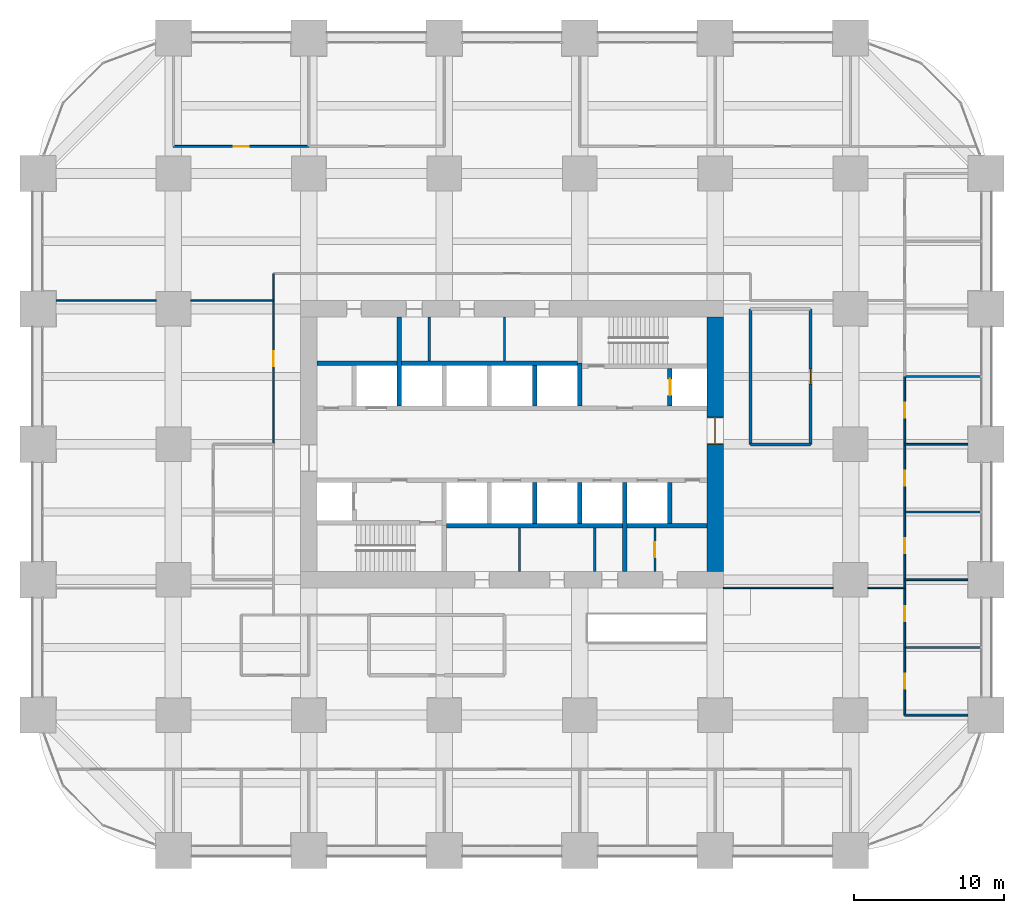
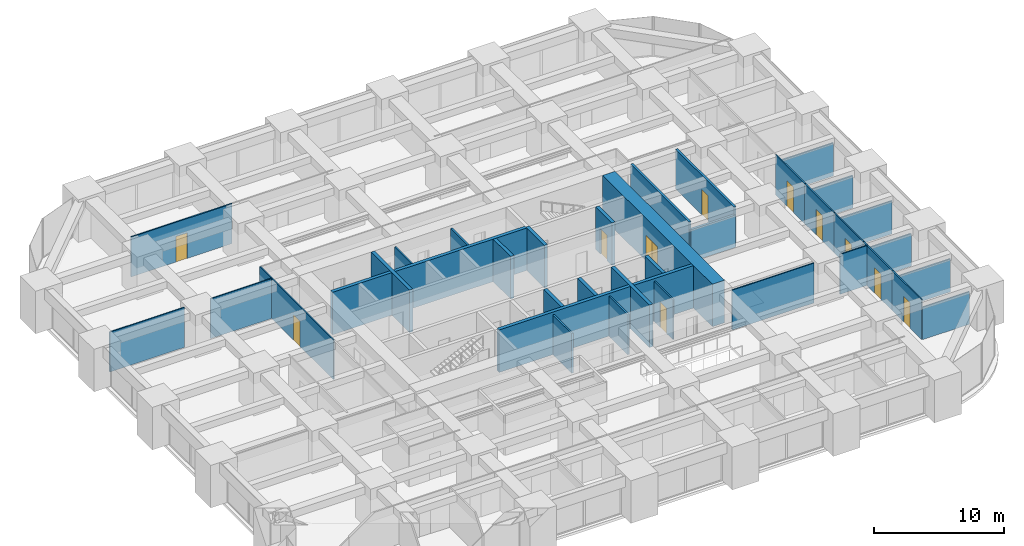
# One storey, part 41 of 45: 36 walls, 11 doors, 11 openings.
"""IFC4 building model written with IfcOpenShell, lengths in metres."""

from ifc_helpers import new_model, si_unit, direction, frame, frame_2d, origin, place, context, subcontext, project, spatial, rectangle, extrude, material, layer, layer_set, type_object, element, fill, save


model = new_model("IFC4")

# Units and contexts
model_context = context("Model", 3, precision=1e-05, world=origin(), true_north=direction((0.0, 1.0)))
body_context = subcontext(model_context, "Body", "Model", "MODEL_VIEW")
ifc_project = project(units=[si_unit("LENGTHUNIT", "METRE"), si_unit("AREAUNIT", "SQUARE_METRE"), si_unit("VOLUMEUNIT", "CUBIC_METRE"), si_unit("PLANEANGLEUNIT", "RADIAN"), si_unit("MASSUNIT", "GRAM", prefix="KILO")], contexts=[model_context])

# Site, building, storey
site_placement = place(None, origin())
site = spatial("IfcSite", under=ifc_project, at=site_placement, CompositionType="ELEMENT")
building_placement = place(site_placement, origin())
building = spatial("IfcBuilding", under=site, at=building_placement, Name="Zorevar Civic Tower", CompositionType="ELEMENT")
storey_placement = place(building_placement, frame((0.0, 0.0, 27.800048828125)))
storey = spatial("IfcBuildingStorey", under=building, at=storey_placement, Name="L06", CompositionType="ELEMENT", Elevation=27.800048828125)

# Walls
ifc_material_1 = material(Name="Concrete blockwork", Category="masonry")
ifc_layer_1 = layer(ifc_material_1, 0.199951171875)
ifc_layer_set_1 = layer_set([ifc_layer_1], Name="Blockwork wall 200")
wall_type_1 = type_object("IfcWallType", Name="Blockwork wall 200", PredefinedType="SOLIDWALL", material=ifc_layer_set_1)
wall_1_placement = place(storey_placement, frame((47.35009765625, 27.0, 0.0), z_axis=(0.0, 0.0, 1.0), x_axis=(1.0, 0.0, 0.0)))
element("IfcWall", 1, at=wall_1_placement, inside=storey, type_object=wall_type_1, Name="Blockwork wall 200 L06", PredefinedType="SOLIDWALL", context=body_context, shape_type="SweptSolid", body=[
    extrude(rectangle(XDim=4.0, YDim=0.199951171875, at=frame_2d((2.0, 0.0))), origin(), (0.0, 0.0, 1.0), 3.050048828125),
])
wall_2_placement = place(storey_placement, frame((47.35009765625, 27.0, 0.0), z_axis=(0.0, 0.0, 1.0), x_axis=(0.0, 1.0, 0.0)))
element("IfcWall", 2, at=wall_2_placement, inside=storey, type_object=wall_type_1, Name="Blockwork wall 200 L06", PredefinedType="SOLIDWALL", context=body_context, shape_type="SweptSolid", body=[
    extrude(rectangle(XDim=9.0, YDim=0.199951171875, at=frame_2d((4.5, 0.0))), origin(), (0.0, 0.0, 1.0), 3.75),
])

# Wall, opening, door
wall_3_placement = place(storey_placement, frame((51.35009765625, 27.0, 0.0), z_axis=(0.0, 0.0, 1.0), x_axis=(0.0, 1.0, 0.0)))
wall_3 = element("IfcWall", 3, at=wall_3_placement, inside=storey, type_object=wall_type_1, Name="Blockwork wall 200 L06", PredefinedType="SOLIDWALL", context=body_context, shape_type="SweptSolid", body=[
    extrude(rectangle(XDim=9.0, YDim=0.199951171875, at=frame_2d((4.5, 0.0))), origin(), (0.0, 0.0, 1.0), 3.75),
])
opening_1_placement = place(wall_3_placement, frame((4.0, 0.0, 0.0)))
opening_1 = element("IfcOpeningElement", 4, at=opening_1_placement, cuts=wall_3, Name="Opening L06.38", PredefinedType="OPENING", context=body_context, shape_type="SweptSolid", body=[
    extrude(rectangle(XDim=1.0, YDim=2.39990234375, at=frame_2d((0.5, 1.199951171875))), frame((0.0, 0.10986328125, 0.0), z_axis=(0.0, -1.0, 0.0), x_axis=(1.0, 0.0, 0.0)), (0.0, 0.0, 1.0), 0.219970703125),
])
ifc_material_2 = material(Name="Steel door set", Category="steel")
door_type_1 = type_object("IfcDoorType", Name="Security door SD1 1000x2400", OperationType="SINGLE_SWING_LEFT", PredefinedType="DOOR", material=ifc_material_2)
door_1_placement = place(opening_1_placement, origin())
door_1 = element("IfcDoor", 5, at=door_1_placement, inside=storey, type_object=door_type_1, Name="Door L06 D1", OperationType="SINGLE_SWING_RIGHT", OverallHeight=2.39990234375, OverallWidth=1.0, PredefinedType="DOOR", context=body_context, shape_type="SweptSolid", body=[
    extrude(rectangle(XDim=1.0, YDim=2.39990234375, at=frame_2d((0.5, 1.199951171875))), frame((0.0, 0.03515625, 0.0), z_axis=(0.0, -1.0, 0.0), x_axis=(1.0, 0.0, 0.0)), (0.0, 0.0, 1.0), 0.070068359375),
])
fill(opening_1, door_1)

ifc_material_3 = material(Name="Concrete C50/60", Category="concrete")
ifc_layer_2 = layer(ifc_material_3, 1.10009765625)
ifc_layer_set_2 = layer_set([ifc_layer_2], Name="Core wall 1100")
wall_type_2 = type_object("IfcWallType", Name="Core wall 1100", PredefinedType="SHEAR", material=ifc_layer_set_2)
wall_4_placement = place(storey_placement, frame((45.0, 18.550048828125, 0.0), z_axis=(0.0, 0.0, 1.0), x_axis=(0.0, 1.0, 0.0)))
wall_4 = element("IfcWall", 6, at=wall_4_placement, inside=storey, type_object=wall_type_2, Name="Core wall E L06", PredefinedType="SHEAR", context=body_context, shape_type="SweptSolid", body=[
    extrude(rectangle(XDim=16.89990234375, YDim=1.10009765625, at=frame_2d((8.449951171875, 0.0))), origin(), (0.0, 0.0, 1.0), 4.0),
])
opening_2_placement = place(wall_4_placement, frame((8.449951171875, 0.0, 0.0)))
opening_2 = element("IfcOpeningElement", 7, at=opening_2_placement, cuts=wall_4, Name="Opening L06.02", PredefinedType="OPENING", context=body_context, shape_type="SweptSolid", body=[
    extrude(rectangle(XDim=1.800048828125, YDim=2.39990234375, at=frame_2d((0.89990234375, 1.199951171875))), frame((0.0, 0.56005859375, 0.0), z_axis=(0.0, -1.0, 0.0), x_axis=(1.0, 0.0, 0.0)), (0.0, 0.0, 1.0), 1.1201171875),
])
ifc_material_4 = material(Name="Steel door set", Category="steel")
door_type_2 = type_object("IfcDoorType", Name="Fire door FD2 1800x2400", OperationType="DOUBLE_DOOR_DOUBLE_SWING", PredefinedType="DOOR", material=ifc_material_4)
door_2_placement = place(opening_2_placement, origin())
door_2 = element("IfcDoor", 8, at=door_2_placement, inside=storey, type_object=door_type_2, Name="Door L06 01", OperationType="DOUBLE_DOOR_DOUBLE_SWING", OverallHeight=2.39990234375, OverallWidth=1.800048828125, PredefinedType="DOOR", context=body_context, shape_type="SweptSolid", body=[
    extrude(rectangle(XDim=1.800048828125, YDim=2.39990234375, at=frame_2d((0.89990234375, 1.199951171875))), frame((0.0, 0.030029296875, 0.0), z_axis=(0.0, -1.0, 0.0), x_axis=(1.0, 0.0, 0.0)), (0.0, 0.0, 1.0), 0.06005859375),
    extrude(rectangle(XDim=0.04, YDim=2.39990234375, at=frame_2d((0.02001953125, 1.199951171875))), frame((0.0, 0.5498046875, 0.0), z_axis=(0.0, -1.0, 0.0), x_axis=(1.0, 0.0, 0.0)), (0.0, 0.0, 1.0), 1.099609375),
    extrude(rectangle(XDim=0.04, YDim=2.39990234375, at=frame_2d((1.780029296875, 1.199951171875))), frame((0.0, 0.5498046875, 0.0), z_axis=(0.0, -1.0, 0.0), x_axis=(1.0, 0.0, 0.0)), (0.0, 0.0, 1.0), 1.099609375),
    extrude(rectangle(XDim=1.800048828125, YDim=0.04, at=frame_2d((0.89990234375, 2.3798828125))), frame((0.0, 0.5498046875, 0.0), z_axis=(0.0, -1.0, 0.0), x_axis=(1.0, 0.0, 0.0)), (0.0, 0.0, 1.0), 1.099609375),
])
fill(opening_2, door_2)

# Walls
ifc_material_5 = material(Name="Laminated glass in black aluminium frame", Category="aluminium")
ifc_layer_3 = layer(ifc_material_5, 0.10009765625)
ifc_layer_set_3 = layer_set([ifc_layer_3], Name="Glazed partition 100")
wall_type_3 = type_object("IfcWallType", Name="Glazed partition 100", PredefinedType="PARTITIONING", material=ifc_layer_set_3)
wall_5_placement = place(storey_placement, frame((45.550048828125, 17.449951171875, 0.0), z_axis=(0.0, 0.0, 1.0), x_axis=(1.0, 0.0, 0.0)))
element("IfcWall", 9, at=wall_5_placement, inside=storey, type_object=wall_type_3, Name="Glazed partition 100 L06", PredefinedType="PARTITIONING", context=body_context, shape_type="SweptSolid", body=[
    extrude(rectangle(XDim=7.300048828125, YDim=0.10009765625, at=frame_2d((3.64990234375, 0.0))), origin(), (0.0, 0.0, 1.0), 3.75),
])
wall_6_placement = place(storey_placement, frame((55.14990234375, 17.449951171875, 0.0), z_axis=(0.0, 0.0, 1.0), x_axis=(1.0, 0.0, 0.0)))
element("IfcWall", 10, at=wall_6_placement, inside=storey, type_object=wall_type_3, Name="Glazed partition 100 L06", PredefinedType="PARTITIONING", context=body_context, shape_type="SweptSolid", body=[
    extrude(rectangle(XDim=2.460205078125, YDim=0.10009765625, at=frame_2d((1.22998046875, 0.0))), origin(), (0.0, 0.0, 1.0), 3.75),
])
wall_7_placement = place(storey_placement, frame((1.199951171875, 36.550048828125, 0.0), z_axis=(0.0, 0.0, 1.0), x_axis=(1.0, 0.0, 0.0)))
element("IfcWall", 11, at=wall_7_placement, inside=storey, type_object=wall_type_3, Name="Glazed partition 100 L06", PredefinedType="PARTITIONING", context=body_context, shape_type="SweptSolid", body=[
    extrude(rectangle(XDim=6.650146484375, YDim=0.10009765625, at=frame_2d((3.3251953125, 0.0))), origin(), (0.0, 0.0, 1.0), 3.75),
])
wall_8_placement = place(storey_placement, frame((10.14990234375, 36.550048828125, 0.0), z_axis=(0.0, 0.0, 1.0), x_axis=(1.0, 0.0, 0.0)))
element("IfcWall", 12, at=wall_8_placement, inside=storey, type_object=wall_type_3, Name="Glazed partition 100 L06", PredefinedType="PARTITIONING", context=body_context, shape_type="SweptSolid", body=[
    extrude(rectangle(XDim=5.5, YDim=0.10009765625, at=frame_2d((2.75, 0.0))), origin(), (0.0, 0.0, 1.0), 3.75),
])

# Wall, opening, door
wall_9_placement = place(storey_placement, frame((15.64990234375, 27.0, 0.0), z_axis=(0.0, 0.0, 1.0), x_axis=(0.0, 1.0, 0.0)))
wall_9 = element("IfcWall", 13, at=wall_9_placement, inside=storey, type_object=wall_type_3, Name="Glazed partition 100 L06", PredefinedType="PARTITIONING", context=body_context, shape_type="SweptSolid", body=[
    extrude(rectangle(XDim=11.35009765625, YDim=0.10009765625, at=frame_2d((5.675048828125, 0.0))), origin(), (0.0, 0.0, 1.0), 3.75),
])
opening_3_placement = place(wall_9_placement, frame((5.175048828125, 0.0, 0.0)))
opening_3 = element("IfcOpeningElement", 14, at=opening_3_placement, cuts=wall_9, Name="Opening L06.37", PredefinedType="OPENING", context=body_context, shape_type="SweptSolid", body=[
    extrude(rectangle(XDim=1.0, YDim=2.39990234375, at=frame_2d((0.5, 1.199951171875))), frame((0.0, 0.06005859375, 0.0), z_axis=(0.0, -1.0, 0.0), x_axis=(1.0, 0.0, 0.0)), (0.0, 0.0, 1.0), 0.1201171875),
])
ifc_material_6 = material(Name="Timber door set", Category="wood")
door_type_3 = type_object("IfcDoorType", Name="Glazed door GD1 1000x2400", OperationType="SINGLE_SWING_LEFT", PredefinedType="DOOR", material=ifc_material_6)
door_3_placement = place(opening_3_placement, origin())
door_3 = element("IfcDoor", 15, at=door_3_placement, inside=storey, type_object=door_type_3, Name="Door L06 D1", OperationType="SINGLE_SWING_LEFT", OverallHeight=2.39990234375, OverallWidth=1.0, PredefinedType="DOOR", context=body_context, shape_type="SweptSolid", body=[
    extrude(rectangle(XDim=1.0, YDim=2.39990234375, at=frame_2d((0.5, 1.199951171875))), frame((0.0, 0.02001953125, 0.0), z_axis=(0.0, -1.0, 0.0), x_axis=(1.0, 0.0, 0.0)), (0.0, 0.0, 1.0), 0.0400390625),
])
fill(opening_3, door_3)

ifc_material_7 = material(Name="Concrete C40/50", Category="concrete")
ifc_layer_4 = layer(ifc_material_7, 0.300048828125)
ifc_layer_set_4 = layer_set([ifc_layer_4], Name="Inner core wall 300")
wall_type_4 = type_object("IfcWallType", Name="Inner core wall 300", PredefinedType="SHEAR", material=ifc_layer_set_4)
wall_10_placement = place(storey_placement, frame((42.0, 29.550048828125, 0.0), z_axis=(0.0, 0.0, 1.0), x_axis=(0.0, 1.0, 0.0)))
wall_10 = element("IfcWall", 16, at=wall_10_placement, inside=storey, type_object=wall_type_4, Name="Inner core wall N02 L06", PredefinedType="SHEAR", context=body_context, shape_type="SweptSolid", body=[
    extrude(rectangle(XDim=2.5, YDim=0.300048828125, at=frame_2d((1.25, 0.0))), origin(), (0.0, 0.0, 1.0), 4.0),
])
opening_4_placement = place(wall_10_placement, frame((0.699951171875, 0.0, 0.0)))
opening_4 = element("IfcOpeningElement", 17, at=opening_4_placement, cuts=wall_10, Name="Opening L06.FL2", PredefinedType="OPENING", context=body_context, shape_type="SweptSolid", body=[
    extrude(rectangle(XDim=1.10009765625, YDim=2.39990234375, at=frame_2d((0.550048828125, 1.199951171875))), frame((0.0, 0.159912109375, 0.0), z_axis=(0.0, -1.0, 0.0), x_axis=(1.0, 0.0, 0.0)), (0.0, 0.0, 1.0), 0.320068359375),
])
ifc_material_8 = material(Name="Steel door set", Category="steel")
door_type_4 = type_object("IfcDoorType", Name="Firefighting lift landing door LD3 1100x2400", OperationType="DOUBLE_DOOR_SLIDING", PredefinedType="DOOR", material=ifc_material_8)
door_4_placement = place(opening_4_placement, origin())
door_4 = element("IfcDoor", 18, at=door_4_placement, inside=storey, type_object=door_type_4, Name="Landing door FL2 L06", OperationType="DOUBLE_DOOR_SLIDING", OverallHeight=2.39990234375, OverallWidth=1.10009765625, PredefinedType="DOOR", context=body_context, shape_type="SweptSolid", body=[
    extrude(rectangle(XDim=1.10009765625, YDim=2.39990234375, at=frame_2d((0.550048828125, 1.199951171875))), frame((0.0, 0.030029296875, 0.0), z_axis=(0.0, -1.0, 0.0), x_axis=(1.0, 0.0, 0.0)), (0.0, 0.0, 1.0), 0.06005859375),
])
fill(opening_4, door_4)

# Walls
for number, where, z_axis, x_axis, name in (
    (19, (27.14990234375, 21.60009765625, 0.0), (0.0, 0.0, 1.0), (1.0, 0.0, 0.0), "Inner core wall S04 L06"),
    (20, (18.550048828125, 32.39990234375, 0.0), (0.0, 0.0, 1.0), (1.0, 0.0, 0.0), "Inner core wall N04 L06"),
):
    element("IfcWall", number, at=place(storey_placement, frame(where, z_axis=z_axis, x_axis=x_axis)), inside=storey, type_object=wall_type_4, Name=name, PredefinedType="SHEAR", context=body_context, shape_type="SweptSolid", body=[
        extrude(rectangle(XDim=17.300048828125, YDim=0.300048828125, at=frame_2d((8.64990234375, 0.0))), origin(), (0.0, 0.0, 1.0), 4.0),
    ])
for number, where, z_axis, x_axis, name in (
    (21, (33.0, 29.550048828125, 0.0), (0.0, 0.0, 1.0), (0.0, 1.0, 0.0), "Inner core wall N05 L06"),
    (22, (33.0, 21.75, 0.0), (0.0, 0.0, 1.0), (0.0, 1.0, 0.0), "Inner core wall S06 L06"),
    (23, (36.0, 21.75, 0.0), (0.0, 0.0, 1.0), (0.0, 1.0, 0.0), "Inner core wall S07 L06"),
):
    element("IfcWall", number, at=place(storey_placement, frame(where, z_axis=z_axis, x_axis=x_axis)), inside=storey, type_object=wall_type_4, Name=name, PredefinedType="SHEAR", context=body_context, shape_type="SweptSolid", body=[
        extrude(rectangle(XDim=2.699951171875, YDim=0.300048828125, at=frame_2d((1.35009765625, 0.0))), origin(), (0.0, 0.0, 1.0), 4.0),
    ])
for number, where, z_axis, x_axis, name in (
    (24, (39.0, 18.550048828125, 0.0), (0.0, 0.0, 1.0), (0.0, 1.0, 0.0), "Inner core wall S08 L06"),
    (25, (24.0, 29.550048828125, 0.0), (0.0, 0.0, 1.0), (0.0, 1.0, 0.0), "Inner core wall N08 L06"),
):
    element("IfcWall", number, at=place(storey_placement, frame(where, z_axis=z_axis, x_axis=x_axis)), inside=storey, type_object=wall_type_4, Name=name, PredefinedType="SHEAR", context=body_context, shape_type="SweptSolid", body=[
        extrude(rectangle(XDim=5.89990234375, YDim=0.300048828125, at=frame_2d((2.949951171875, 0.0))), origin(), (0.0, 0.0, 1.0), 4.0),
    ])
wall_11_placement = place(storey_placement, frame((42.0, 21.75, 0.0), z_axis=(0.0, 0.0, 1.0), x_axis=(0.0, 1.0, 0.0)))
element("IfcWall", 26, at=wall_11_placement, inside=storey, type_object=wall_type_4, Name="Inner core wall S09 L06", PredefinedType="SHEAR", context=body_context, shape_type="SweptSolid", body=[
    extrude(rectangle(XDim=2.699951171875, YDim=0.300048828125, at=frame_2d((1.35009765625, 0.0))), origin(), (0.0, 0.0, 1.0), 4.0),
])
wall_12_placement = place(storey_placement, frame((36.0, 29.550048828125, 0.0), z_axis=(0.0, 0.0, 1.0), x_axis=(0.0, 1.0, 0.0)))
element("IfcWall", 27, at=wall_12_placement, inside=storey, type_object=wall_type_4, Name="Inner core wall N10 L06", PredefinedType="SHEAR", context=body_context, shape_type="SweptSolid", body=[
    extrude(rectangle(XDim=2.849853515625, YDim=0.300048828125, at=frame_2d((1.4248046875, 0.0))), origin(), (0.0, 0.0, 1.0), 4.0),
])
ifc_material_9 = material(Name="Gypsum board on steel studs", Category="steel")
ifc_layer_5 = layer(ifc_material_9, 0.1201171875)
ifc_layer_set_5 = layer_set([ifc_layer_5], Name="Partition 120")
wall_type_5 = type_object("IfcWallType", Name="Partition 120", PredefinedType="PARTITIONING", material=ifc_layer_set_5)
wall_13_placement = place(storey_placement, frame((57.60009765625, 9.0, 0.0), z_axis=(0.0, 0.0, 1.0), x_axis=(1.0, 0.0, 0.0)))
element("IfcWall", 28, at=wall_13_placement, inside=storey, type_object=wall_type_5, Name="Partition 120 L06", PredefinedType="PARTITIONING", context=body_context, shape_type="SweptSolid", body=[
    extrude(rectangle(XDim=4.199951171875, YDim=0.1201171875, at=frame_2d((2.10009765625, 0.0))), origin(), (0.0, 0.0, 1.0), 3.050048828125),
])
wall_14_placement = place(storey_placement, frame((57.60009765625, 13.5, 0.0), z_axis=(0.0, 0.0, 1.0), x_axis=(1.0, 0.0, 0.0)))
element("IfcWall", 29, at=wall_14_placement, inside=storey, type_object=wall_type_5, Name="Partition 120 L06", PredefinedType="PARTITIONING", context=body_context, shape_type="SweptSolid", body=[
    extrude(rectangle(XDim=5.08984375, YDim=0.1201171875, at=frame_2d((2.544921875, 0.0))), origin(), (0.0, 0.0, 1.0), 3.099853515625),
])
wall_15_placement = place(storey_placement, frame((57.60009765625, 18.0, 0.0), z_axis=(0.0, 0.0, 1.0), x_axis=(1.0, 0.0, 0.0)))
element("IfcWall", 30, at=wall_15_placement, inside=storey, type_object=wall_type_5, Name="Partition 120 L06", PredefinedType="PARTITIONING", context=body_context, shape_type="SweptSolid", body=[
    extrude(rectangle(XDim=4.199951171875, YDim=0.1201171875, at=frame_2d((2.10009765625, 0.0))), origin(), (0.0, 0.0, 1.0), 3.050048828125),
])
wall_16_placement = place(storey_placement, frame((57.60009765625, 22.5, 0.0), z_axis=(0.0, 0.0, 1.0), x_axis=(1.0, 0.0, 0.0)))
element("IfcWall", 31, at=wall_16_placement, inside=storey, type_object=wall_type_5, Name="Partition 120 L06", PredefinedType="PARTITIONING", context=body_context, shape_type="SweptSolid", body=[
    extrude(rectangle(XDim=5.08984375, YDim=0.1201171875, at=frame_2d((2.544921875, 0.0))), origin(), (0.0, 0.0, 1.0), 3.099853515625),
])
wall_17_placement = place(storey_placement, frame((57.60009765625, 27.0, 0.0), z_axis=(0.0, 0.0, 1.0), x_axis=(1.0, 0.0, 0.0)))
element("IfcWall", 32, at=wall_17_placement, inside=storey, type_object=wall_type_5, Name="Partition 120 L06", PredefinedType="PARTITIONING", context=body_context, shape_type="SweptSolid", body=[
    extrude(rectangle(XDim=4.199951171875, YDim=0.1201171875, at=frame_2d((2.10009765625, 0.0))), origin(), (0.0, 0.0, 1.0), 3.050048828125),
])
wall_18_placement = place(storey_placement, frame((57.60009765625, 31.5, 0.0), z_axis=(0.0, 0.0, 1.0), x_axis=(1.0, 0.0, 0.0)))
element("IfcWall", 33, at=wall_18_placement, inside=storey, type_object=wall_type_5, Name="Partition 120 L06", PredefinedType="PARTITIONING", context=body_context, shape_type="SweptSolid", body=[
    extrude(rectangle(XDim=5.08984375, YDim=0.1201171875, at=frame_2d((2.544921875, 0.0))), origin(), (0.0, 0.0, 1.0), 3.099853515625),
])

# Wall, opening, door
wall_19_placement = place(storey_placement, frame((9.0, 46.800048828125, 0.0), z_axis=(0.0, 0.0, 1.0), x_axis=(1.0, 0.0, 0.0)))
wall_19 = element("IfcWall", 34, at=wall_19_placement, inside=storey, type_object=wall_type_5, Name="Partition 120 L06", PredefinedType="PARTITIONING", context=body_context, shape_type="SweptSolid", body=[
    extrude(rectangle(XDim=9.0, YDim=0.1201171875, at=frame_2d((4.5, 0.0))), origin(), (0.0, 0.0, 1.0), 3.75),
])
opening_5_placement = place(wall_19_placement, frame((4.0, 0.0, 0.0)))
opening_5 = element("IfcOpeningElement", 35, at=opening_5_placement, cuts=wall_19, Name="Opening L06.30", PredefinedType="OPENING", context=body_context, shape_type="SweptSolid", body=[
    extrude(rectangle(XDim=1.0, YDim=2.39990234375, at=frame_2d((0.5, 1.199951171875))), frame((0.0, 0.070068359375, 0.0), z_axis=(0.0, -1.0, 0.0), x_axis=(1.0, 0.0, 0.0)), (0.0, 0.0, 1.0), 0.14013671875),
])
ifc_material_10 = material(Name="Timber door set", Category="wood")
door_type_5 = type_object("IfcDoorType", Name="Door D1 1000x2400", OperationType="SINGLE_SWING_LEFT", PredefinedType="DOOR", material=ifc_material_10)
door_5_placement = place(opening_5_placement, origin())
door_5 = element("IfcDoor", 36, at=door_5_placement, inside=storey, type_object=door_type_5, Name="Door L06 D1", OperationType="SINGLE_SWING_LEFT", OverallHeight=2.39990234375, OverallWidth=1.0, PredefinedType="DOOR", context=body_context, shape_type="SweptSolid", body=[
    extrude(rectangle(XDim=1.0, YDim=2.39990234375, at=frame_2d((0.5, 1.199951171875))), frame((0.0, 0.02490234375, 0.0), z_axis=(0.0, -1.0, 0.0), x_axis=(1.0, 0.0, 0.0)), (0.0, 0.0, 1.0), 0.050048828125),
])
fill(opening_5, door_5)

wall_20_placement = place(storey_placement, frame((57.60009765625, 9.0, 0.0), z_axis=(0.0, 0.0, 1.0), x_axis=(0.0, 1.0, 0.0)))
wall_20 = element("IfcWall", 37, at=wall_20_placement, inside=storey, type_object=wall_type_5, Name="Partition 120 L06", PredefinedType="PARTITIONING", context=body_context, shape_type="SweptSolid", body=[
    extrude(rectangle(XDim=4.5, YDim=0.1201171875, at=frame_2d((2.25, 0.0))), origin(), (0.0, 0.0, 1.0), 3.75),
])
opening_6_placement = place(wall_20_placement, frame((1.75, 0.0, 0.0)))
opening_6 = element("IfcOpeningElement", 38, at=opening_6_placement, cuts=wall_20, Name="Opening L06.39", PredefinedType="OPENING", context=body_context, shape_type="SweptSolid", body=[
    extrude(rectangle(XDim=1.0, YDim=2.39990234375, at=frame_2d((0.5, 1.199951171875))), frame((0.0, 0.070068359375, 0.0), z_axis=(0.0, -1.0, 0.0), x_axis=(1.0, 0.0, 0.0)), (0.0, 0.0, 1.0), 0.14013671875),
])
door_6_placement = place(opening_6_placement, origin())
door_6 = element("IfcDoor", 39, at=door_6_placement, inside=storey, type_object=door_type_5, Name="Door L06 D1", OperationType="SINGLE_SWING_LEFT", OverallHeight=2.39990234375, OverallWidth=1.0, PredefinedType="DOOR", context=body_context, shape_type="SweptSolid", body=[
    extrude(rectangle(XDim=1.0, YDim=2.39990234375, at=frame_2d((0.5, 1.199951171875))), frame((0.0, 0.02490234375, 0.0), z_axis=(0.0, -1.0, 0.0), x_axis=(1.0, 0.0, 0.0)), (0.0, 0.0, 1.0), 0.050048828125),
])
fill(opening_6, door_6)

wall_21_placement = place(storey_placement, frame((57.60009765625, 13.5, 0.0), z_axis=(0.0, 0.0, 1.0), x_axis=(0.0, 1.0, 0.0)))
wall_21 = element("IfcWall", 40, at=wall_21_placement, inside=storey, type_object=wall_type_5, Name="Partition 120 L06", PredefinedType="PARTITIONING", context=body_context, shape_type="SweptSolid", body=[
    extrude(rectangle(XDim=4.5, YDim=0.1201171875, at=frame_2d((2.25, 0.0))), origin(), (0.0, 0.0, 1.0), 3.75),
])
opening_7_placement = place(wall_21_placement, frame((1.75, 0.0, 0.0)))
opening_7 = element("IfcOpeningElement", 41, at=opening_7_placement, cuts=wall_21, Name="Opening L06.40", PredefinedType="OPENING", context=body_context, shape_type="SweptSolid", body=[
    extrude(rectangle(XDim=1.0, YDim=2.39990234375, at=frame_2d((0.5, 1.199951171875))), frame((0.0, 0.070068359375, 0.0), z_axis=(0.0, -1.0, 0.0), x_axis=(1.0, 0.0, 0.0)), (0.0, 0.0, 1.0), 0.14013671875),
])
door_7_placement = place(opening_7_placement, origin())
door_7 = element("IfcDoor", 42, at=door_7_placement, inside=storey, type_object=door_type_5, Name="Door L06 D1", OperationType="SINGLE_SWING_LEFT", OverallHeight=2.39990234375, OverallWidth=1.0, PredefinedType="DOOR", context=body_context, shape_type="SweptSolid", body=[
    extrude(rectangle(XDim=1.0, YDim=2.39990234375, at=frame_2d((0.5, 1.199951171875))), frame((0.0, 0.02490234375, 0.0), z_axis=(0.0, -1.0, 0.0), x_axis=(1.0, 0.0, 0.0)), (0.0, 0.0, 1.0), 0.050048828125),
])
fill(opening_7, door_7)

wall_22_placement = place(storey_placement, frame((57.60009765625, 18.0, 0.0), z_axis=(0.0, 0.0, 1.0), x_axis=(0.0, 1.0, 0.0)))
wall_22 = element("IfcWall", 43, at=wall_22_placement, inside=storey, type_object=wall_type_5, Name="Partition 120 L06", PredefinedType="PARTITIONING", context=body_context, shape_type="SweptSolid", body=[
    extrude(rectangle(XDim=4.5, YDim=0.1201171875, at=frame_2d((2.25, 0.0))), origin(), (0.0, 0.0, 1.0), 3.75),
])
opening_8_placement = place(wall_22_placement, frame((1.75, 0.0, 0.0)))
opening_8 = element("IfcOpeningElement", 44, at=opening_8_placement, cuts=wall_22, Name="Opening L06.41", PredefinedType="OPENING", context=body_context, shape_type="SweptSolid", body=[
    extrude(rectangle(XDim=1.0, YDim=2.39990234375, at=frame_2d((0.5, 1.199951171875))), frame((0.0, 0.070068359375, 0.0), z_axis=(0.0, -1.0, 0.0), x_axis=(1.0, 0.0, 0.0)), (0.0, 0.0, 1.0), 0.14013671875),
])
door_8_placement = place(opening_8_placement, origin())
door_8 = element("IfcDoor", 45, at=door_8_placement, inside=storey, type_object=door_type_5, Name="Door L06 D1", OperationType="SINGLE_SWING_RIGHT", OverallHeight=2.39990234375, OverallWidth=1.0, PredefinedType="DOOR", context=body_context, shape_type="SweptSolid", body=[
    extrude(rectangle(XDim=1.0, YDim=2.39990234375, at=frame_2d((0.5, 1.199951171875))), frame((0.0, 0.02490234375, 0.0), z_axis=(0.0, -1.0, 0.0), x_axis=(1.0, 0.0, 0.0)), (0.0, 0.0, 1.0), 0.050048828125),
])
fill(opening_8, door_8)

wall_23_placement = place(storey_placement, frame((57.60009765625, 22.5, 0.0), z_axis=(0.0, 0.0, 1.0), x_axis=(0.0, 1.0, 0.0)))
wall_23 = element("IfcWall", 46, at=wall_23_placement, inside=storey, type_object=wall_type_5, Name="Partition 120 L06", PredefinedType="PARTITIONING", context=body_context, shape_type="SweptSolid", body=[
    extrude(rectangle(XDim=4.5, YDim=0.1201171875, at=frame_2d((2.25, 0.0))), origin(), (0.0, 0.0, 1.0), 3.75),
])
opening_9_placement = place(wall_23_placement, frame((1.75, 0.0, 0.0)))
opening_9 = element("IfcOpeningElement", 47, at=opening_9_placement, cuts=wall_23, Name="Opening L06.42", PredefinedType="OPENING", context=body_context, shape_type="SweptSolid", body=[
    extrude(rectangle(XDim=1.0, YDim=2.39990234375, at=frame_2d((0.5, 1.199951171875))), frame((0.0, 0.070068359375, 0.0), z_axis=(0.0, -1.0, 0.0), x_axis=(1.0, 0.0, 0.0)), (0.0, 0.0, 1.0), 0.14013671875),
])
door_9_placement = place(opening_9_placement, origin())
door_9 = element("IfcDoor", 48, at=door_9_placement, inside=storey, type_object=door_type_5, Name="Door L06 D1", OperationType="SINGLE_SWING_RIGHT", OverallHeight=2.39990234375, OverallWidth=1.0, PredefinedType="DOOR", context=body_context, shape_type="SweptSolid", body=[
    extrude(rectangle(XDim=1.0, YDim=2.39990234375, at=frame_2d((0.5, 1.199951171875))), frame((0.0, 0.02490234375, 0.0), z_axis=(0.0, -1.0, 0.0), x_axis=(1.0, 0.0, 0.0)), (0.0, 0.0, 1.0), 0.050048828125),
])
fill(opening_9, door_9)

wall_24_placement = place(storey_placement, frame((57.60009765625, 27.0, 0.0), z_axis=(0.0, 0.0, 1.0), x_axis=(0.0, 1.0, 0.0)))
wall_24 = element("IfcWall", 49, at=wall_24_placement, inside=storey, type_object=wall_type_5, Name="Partition 120 L06", PredefinedType="PARTITIONING", context=body_context, shape_type="SweptSolid", body=[
    extrude(rectangle(XDim=4.5, YDim=0.1201171875, at=frame_2d((2.25, 0.0))), origin(), (0.0, 0.0, 1.0), 3.75),
])
opening_10_placement = place(wall_24_placement, frame((1.75, 0.0, 0.0)))
opening_10 = element("IfcOpeningElement", 50, at=opening_10_placement, cuts=wall_24, Name="Opening L06.43", PredefinedType="OPENING", context=body_context, shape_type="SweptSolid", body=[
    extrude(rectangle(XDim=1.0, YDim=2.39990234375, at=frame_2d((0.5, 1.199951171875))), frame((0.0, 0.070068359375, 0.0), z_axis=(0.0, -1.0, 0.0), x_axis=(1.0, 0.0, 0.0)), (0.0, 0.0, 1.0), 0.14013671875),
])
door_10_placement = place(opening_10_placement, origin())
door_10 = element("IfcDoor", 51, at=door_10_placement, inside=storey, type_object=door_type_5, Name="Door L06 D1", OperationType="SINGLE_SWING_LEFT", OverallHeight=2.39990234375, OverallWidth=1.0, PredefinedType="DOOR", context=body_context, shape_type="SweptSolid", body=[
    extrude(rectangle(XDim=1.0, YDim=2.39990234375, at=frame_2d((0.5, 1.199951171875))), frame((0.0, 0.02490234375, 0.0), z_axis=(0.0, -1.0, 0.0), x_axis=(1.0, 0.0, 0.0)), (0.0, 0.0, 1.0), 0.050048828125),
])
fill(opening_10, door_10)

wall_25_placement = place(storey_placement, frame((41.0, 18.550048828125, 0.0), z_axis=(0.0, 0.0, 1.0), x_axis=(0.0, 1.0, 0.0)))
wall_25 = element("IfcWall", 52, at=wall_25_placement, inside=storey, type_object=wall_type_5, Name="Partition L06", PredefinedType="PARTITIONING", context=body_context, shape_type="SweptSolid", body=[
    extrude(rectangle(XDim=2.89990234375, YDim=0.1201171875, at=frame_2d((1.449951171875, 0.0))), origin(), (0.0, 0.0, 1.0), 3.75),
])
opening_11_placement = place(wall_25_placement, frame((0.949951171875, 0.0, 0.0)))
opening_11 = element("IfcOpeningElement", 53, at=opening_11_placement, cuts=wall_25, Name="Opening L06.47", PredefinedType="OPENING", context=body_context, shape_type="SweptSolid", body=[
    extrude(rectangle(XDim=1.0, YDim=2.39990234375, at=frame_2d((0.5, 1.199951171875))), frame((0.0, 0.070068359375, 0.0), z_axis=(0.0, -1.0, 0.0), x_axis=(1.0, 0.0, 0.0)), (0.0, 0.0, 1.0), 0.14013671875),
])
ifc_material_11 = material(Name="Steel door set", Category="steel")
door_type_6 = type_object("IfcDoorType", Name="Fire door FD1 1000x2400", OperationType="SINGLE_SWING_LEFT", PredefinedType="DOOR", material=ifc_material_11)
door_11_placement = place(opening_11_placement, origin())
door_11 = element("IfcDoor", 54, at=door_11_placement, inside=storey, type_object=door_type_6, Name="Door L06 ES", OperationType="SINGLE_SWING_RIGHT", OverallHeight=2.39990234375, OverallWidth=1.0, PredefinedType="DOOR", context=body_context, shape_type="SweptSolid", body=[
    extrude(rectangle(XDim=1.0, YDim=2.39990234375, at=frame_2d((0.5, 1.199951171875))), frame((0.0, 0.030029296875, 0.0), z_axis=(0.0, -1.0, 0.0), x_axis=(1.0, 0.0, 0.0)), (0.0, 0.0, 1.0), 0.06005859375),
])
fill(opening_11, door_11)

# Walls
ifc_material_12 = material(Name="Gypsum board on steel studs, moisture resistant", Category="steel")
ifc_layer_6 = layer(ifc_material_12, 0.14990234375)
ifc_layer_set_6 = layer_set([ifc_layer_6], Name="WC partition 150")
wall_type_6 = type_object("IfcWallType", Name="WC partition 150", PredefinedType="PARTITIONING", material=ifc_layer_set_6)
for number, where, z_axis, x_axis, name in (
    (55, (32.0, 18.550048828125, 0.0), (0.0, 0.0, 1.0), (0.0, 1.0, 0.0), "WC partition L06"),
    (56, (37.0, 18.550048828125, 0.0), (0.0, 0.0, 1.0), (0.0, 1.0, 0.0), "WC partition L06"),
    (57, (31.0, 32.550048828125, 0.0), (0.0, 0.0, 1.0), (0.0, 1.0, 0.0), "WC partition L06"),
    (58, (26.0, 32.550048828125, 0.0), (0.0, 0.0, 1.0), (0.0, 1.0, 0.0), "WC partition L06"),
):
    element("IfcWall", number, at=place(storey_placement, frame(where, z_axis=z_axis, x_axis=x_axis)), inside=storey, type_object=wall_type_6, Name=name, PredefinedType="PARTITIONING", context=body_context, shape_type="SweptSolid", body=[
        extrude(rectangle(XDim=2.89990234375, YDim=0.14990234375, at=frame_2d((1.449951171875, 0.0))), origin(), (0.0, 0.0, 1.0), 3.75),
    ])

save(model, "model.ifc")
